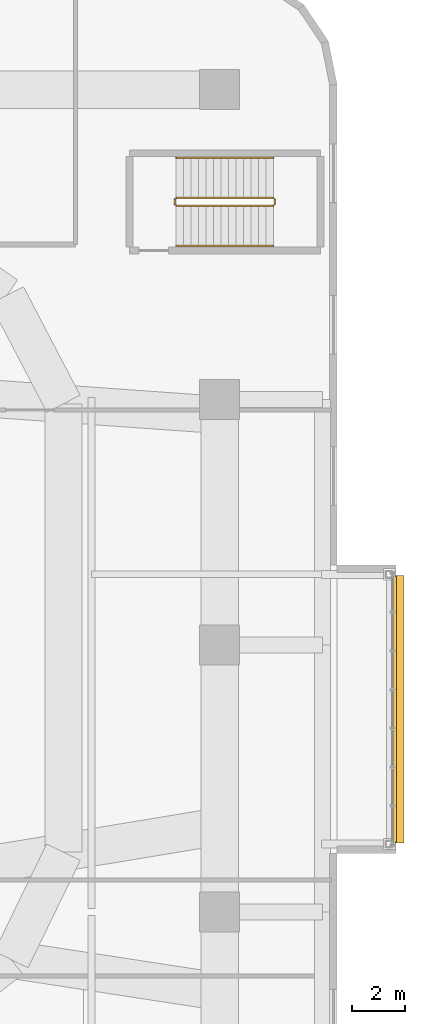
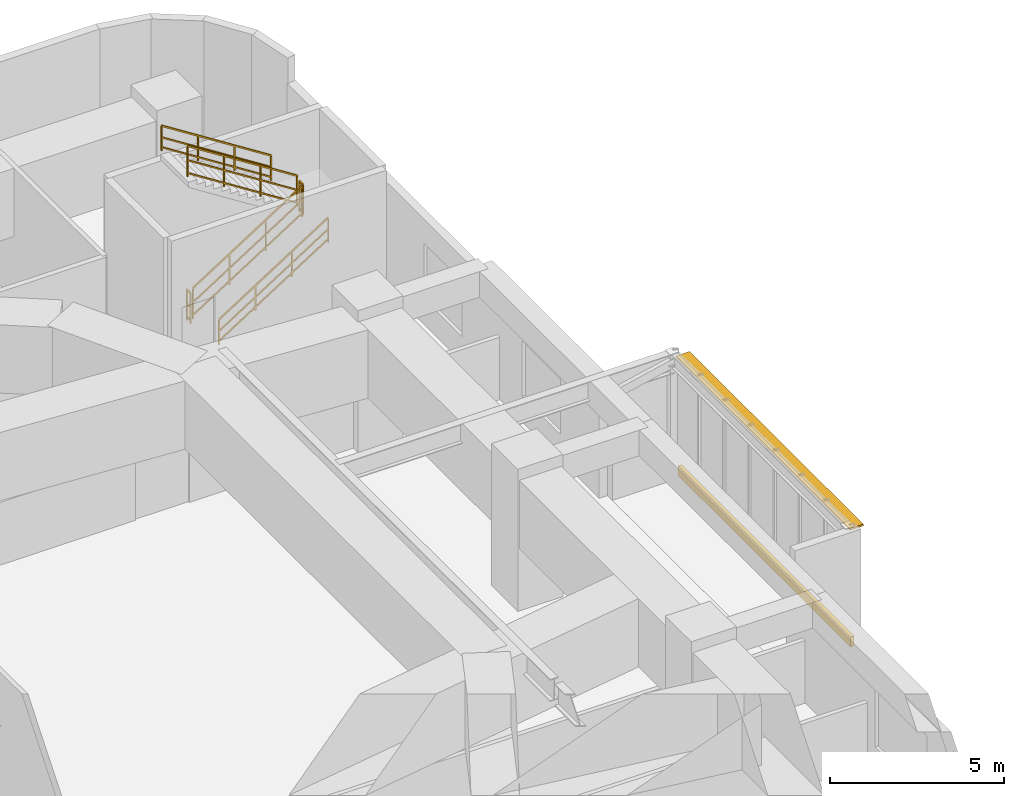
# One storey, part 25 of 26: 6 railings, 2 shading devices.
"""IFC4 building model written with IfcOpenShell, lengths in metres."""

from ifc_helpers import new_model, si_unit, direction, frame, origin, origin_2d, place, context, subcontext, project, spatial, rectangle, extrude, material, layer, layer_set, type_object, element, save


model = new_model("IFC4")

# Units and contexts
model_context = context("Model", 3, precision=1e-05, world=origin(), true_north=direction((0.0, 1.0)))
body_context = subcontext(model_context, "Body", "Model", "MODEL_VIEW")
ifc_project = project(units=[si_unit("LENGTHUNIT", "METRE"), si_unit("AREAUNIT", "SQUARE_METRE"), si_unit("VOLUMEUNIT", "CUBIC_METRE"), si_unit("PLANEANGLEUNIT", "RADIAN"), si_unit("MASSUNIT", "GRAM", prefix="KILO")], contexts=[model_context])

# Site, building, storey
site_placement = place(None, origin())
site = spatial("IfcSite", under=ifc_project, at=site_placement, CompositionType="ELEMENT")
building_placement = place(site_placement, origin())
building = spatial("IfcBuilding", under=site, at=building_placement, Name="Zulverin Broadcast Headquarters", CompositionType="ELEMENT")
storey_placement = place(building_placement, frame((0.0, 0.0, 20.0)))
storey = spatial("IfcBuildingStorey", under=building, at=storey_placement, Name="L04", CompositionType="ELEMENT", Elevation=20.0)

# Railings
ifc_material_1 = material(Name="Painted galvanized steel tubular guardrail S355JR", Category="steel")
railing_type_1 = type_object("IfcRailingType", Name="RL-ST-GUARD", PredefinedType="GUARDRAIL", material=ifc_material_1)
railing_1_placement = place(storey_placement, frame((67.969970703125, 41.64990234375, 0.178466796875)))
element("IfcRailing", 1, at=railing_1_placement, inside=storey, type_object=railing_type_1, Name="L04 ST-4 stair guard 1", PredefinedType="GUARDRAIL", context=body_context, shape_type="SweptSolid", body=[
    extrude(rectangle(XDim=0.048095703125, YDim=0.048095703125, at=origin_2d()), frame((0.0, 0.0, 1.076171875), z_axis=(0.843127859045, 0.0, 0.537713132908), x_axis=(0.0, 1.0, 0.0)), (0.0, 0.0, 1.0), 4.3173828125),
    extrude(rectangle(XDim=0.0419921875, YDim=0.0419921875, at=origin_2d()), frame((0.0, 0.0, 0.572021484375), z_axis=(0.843127859045, 0.0, 0.537713132908), x_axis=(0.0, 1.0, 0.0)), (0.0, 0.0, 1.0), 4.3173828125),
    extrude(rectangle(XDim=0.0419921875, YDim=0.0419921875, at=origin_2d()), frame((0.0, 0.0, 0.1201171875), z_axis=(0.843127859045, 0.0, 0.537713132908), x_axis=(0.0, 1.0, 0.0)), (0.0, 0.0, 1.0), 4.3173828125),
    extrude(rectangle(XDim=0.0419921875, YDim=0.0419921875, at=origin_2d()), origin(), (0.0, 0.0, 1.0), 1.052001953125),
    extrude(rectangle(XDim=0.0419921875, YDim=0.0419921875, at=origin_2d()), frame((1.21337890625, 0.0, 0.77392578125)), (0.0, 0.0, 1.0), 1.052001953125),
    extrude(rectangle(XDim=0.0419921875, YDim=0.0419921875, at=origin_2d()), frame((2.4267578125, 0.0, 1.547607421875)), (0.0, 0.0, 1.0), 1.052001953125),
    extrude(rectangle(XDim=0.0419921875, YDim=0.0419921875, at=origin_2d()), frame((3.64013671875, 0.0, 2.321533203125)), (0.0, 0.0, 1.0), 1.052001953125),
])
railing_2_placement = place(storey_placement, frame((71.659912109375, 41.699951171875, 2.5)))
element("IfcRailing", 2, at=railing_2_placement, inside=storey, type_object=railing_type_1, Name="L04 ST-4 stair guard 2", PredefinedType="GUARDRAIL", context=body_context, shape_type="SweptSolid", body=[
    extrude(rectangle(XDim=0.048095703125, YDim=0.048095703125, at=origin_2d()), frame((0.0, 0.0, 1.076171875), z_axis=(0.0, 1.0, 0.0), x_axis=(-1.0, 0.0, 0.0)), (0.0, 0.0, 1.0), 0.199951171875),
    extrude(rectangle(XDim=0.0419921875, YDim=0.0419921875, at=origin_2d()), frame((0.0, 0.0, 0.572021484375), z_axis=(0.0, 1.0, 0.0), x_axis=(-1.0, 0.0, 0.0)), (0.0, 0.0, 1.0), 0.199951171875),
    extrude(rectangle(XDim=0.0419921875, YDim=0.0419921875, at=origin_2d()), frame((0.0, 0.0, 0.1201171875), z_axis=(0.0, 1.0, 0.0), x_axis=(-1.0, 0.0, 0.0)), (0.0, 0.0, 1.0), 0.199951171875),
    extrude(rectangle(XDim=0.0419921875, YDim=0.0419921875, at=origin_2d()), origin(), (0.0, 0.0, 1.0), 1.052001953125),
    extrude(rectangle(XDim=0.0419921875, YDim=0.0419921875, at=origin_2d()), frame((0.0, 0.199951171875, 0.0)), (0.0, 0.0, 1.0), 1.052001953125),
])
railing_3_placement = place(storey_placement, frame((71.610107421875, 41.949951171875, 2.678466796875)))
element("IfcRailing", 3, at=railing_3_placement, inside=storey, type_object=railing_type_1, Name="L04 ST-4 stair guard 3", PredefinedType="GUARDRAIL", context=body_context, shape_type="SweptSolid", body=[
    extrude(rectangle(XDim=0.048095703125, YDim=0.048095703125, at=origin_2d()), frame((0.0, 0.0, 1.076171875), z_axis=(-0.843127859045, 0.0, 0.537713132908), x_axis=(0.0, -1.0, 0.0)), (0.0, 0.0, 1.0), 4.3173828125),
    extrude(rectangle(XDim=0.0419921875, YDim=0.0419921875, at=origin_2d()), frame((0.0, 0.0, 0.572021484375), z_axis=(-0.843127859045, 0.0, 0.537713132908), x_axis=(0.0, -1.0, 0.0)), (0.0, 0.0, 1.0), 4.3173828125),
    extrude(rectangle(XDim=0.0419921875, YDim=0.0419921875, at=origin_2d()), frame((0.0, 0.0, 0.1201171875), z_axis=(-0.843127859045, 0.0, 0.537713132908), x_axis=(0.0, -1.0, 0.0)), (0.0, 0.0, 1.0), 4.3173828125),
    extrude(rectangle(XDim=0.0419921875, YDim=0.0419921875, at=origin_2d()), origin(), (0.0, 0.0, 1.0), 1.052001953125),
    extrude(rectangle(XDim=0.0419921875, YDim=0.0419921875, at=origin_2d()), frame((-1.21337890625, 0.0, 0.77392578125)), (0.0, 0.0, 1.0), 1.052001953125),
    extrude(rectangle(XDim=0.0419921875, YDim=0.0419921875, at=origin_2d()), frame((-2.4267578125, 0.0, 1.547607421875)), (0.0, 0.0, 1.0), 1.052001953125),
    extrude(rectangle(XDim=0.0419921875, YDim=0.0419921875, at=origin_2d()), frame((-3.64013671875, 0.0, 2.321533203125)), (0.0, 0.0, 1.0), 1.052001953125),
])
railing_4_placement = place(storey_placement, frame((67.919921875, 41.699951171875, 0.0)))
element("IfcRailing", 4, at=railing_4_placement, inside=storey, type_object=railing_type_1, Name="L04 ST-4 stair guard 4", PredefinedType="GUARDRAIL", context=body_context, shape_type="SweptSolid", body=[
    extrude(rectangle(XDim=0.048095703125, YDim=0.048095703125, at=origin_2d()), frame((0.0, 0.0, 1.076171875), z_axis=(0.0, 1.0, 0.0), x_axis=(-1.0, 0.0, 0.0)), (0.0, 0.0, 1.0), 0.199951171875),
    extrude(rectangle(XDim=0.0419921875, YDim=0.0419921875, at=origin_2d()), frame((0.0, 0.0, 0.572021484375), z_axis=(0.0, 1.0, 0.0), x_axis=(-1.0, 0.0, 0.0)), (0.0, 0.0, 1.0), 0.199951171875),
    extrude(rectangle(XDim=0.0419921875, YDim=0.0419921875, at=origin_2d()), frame((0.0, 0.0, 0.1201171875), z_axis=(0.0, 1.0, 0.0), x_axis=(-1.0, 0.0, 0.0)), (0.0, 0.0, 1.0), 0.199951171875),
    extrude(rectangle(XDim=0.0419921875, YDim=0.0419921875, at=origin_2d()), origin(), (0.0, 0.0, 1.0), 1.052001953125),
    extrude(rectangle(XDim=0.0419921875, YDim=0.0419921875, at=origin_2d()), frame((0.0, 0.199951171875, 0.0)), (0.0, 0.0, 1.0), 1.052001953125),
])
ifc_material_2 = material(Name="Brushed stainless steel 48 mm handrail", Category="steel")
railing_type_2 = type_object("IfcRailingType", Name="RL-ST-HAND", PredefinedType="HANDRAIL", material=ifc_material_2)
railing_5_placement = place(storey_placement, frame((67.969970703125, 40.14990234375, 0.178466796875)))
element("IfcRailing", 5, at=railing_5_placement, inside=storey, type_object=railing_type_2, Name="L04 ST-4 stair handrail 1", PredefinedType="HANDRAIL", context=body_context, shape_type="SweptSolid", body=[
    extrude(rectangle(XDim=0.048095703125, YDim=0.048095703125, at=origin_2d()), frame((0.0, 0.0, 0.8759765625), z_axis=(0.843127859045, 0.0, 0.537713132908), x_axis=(0.0, 1.0, 0.0)), (0.0, 0.0, 1.0), 4.3173828125),
    extrude(rectangle(XDim=0.0419921875, YDim=0.0419921875, at=origin_2d()), frame((0.0, 0.0, 0.468017578125), z_axis=(0.843127859045, 0.0, 0.537713132908), x_axis=(0.0, 1.0, 0.0)), (0.0, 0.0, 1.0), 4.3173828125),
    extrude(rectangle(XDim=0.0419921875, YDim=0.0419921875, at=origin_2d()), frame((0.0, 0.0, 0.1201171875), z_axis=(0.843127859045, 0.0, 0.537713132908), x_axis=(0.0, 1.0, 0.0)), (0.0, 0.0, 1.0), 4.3173828125),
    extrude(rectangle(XDim=0.0419921875, YDim=0.0419921875, at=origin_2d()), origin(), (0.0, 0.0, 1.0), 0.851806640625),
    extrude(rectangle(XDim=0.0419921875, YDim=0.0419921875, at=origin_2d()), frame((1.21337890625, 0.0, 0.77392578125)), (0.0, 0.0, 1.0), 0.851806640625),
    extrude(rectangle(XDim=0.0419921875, YDim=0.0419921875, at=origin_2d()), frame((2.4267578125, 0.0, 1.547607421875)), (0.0, 0.0, 1.0), 0.851806640625),
    extrude(rectangle(XDim=0.0419921875, YDim=0.0419921875, at=origin_2d()), frame((3.64013671875, 0.0, 2.321533203125)), (0.0, 0.0, 1.0), 0.851806640625),
])
railing_6_placement = place(storey_placement, frame((71.610107421875, 43.449951171875, 2.678466796875)))
element("IfcRailing", 6, at=railing_6_placement, inside=storey, type_object=railing_type_2, Name="L04 ST-4 stair handrail 2", PredefinedType="HANDRAIL", context=body_context, shape_type="SweptSolid", body=[
    extrude(rectangle(XDim=0.048095703125, YDim=0.048095703125, at=origin_2d()), frame((0.0, 0.0, 0.8759765625), z_axis=(-0.843127859045, 0.0, 0.537713132908), x_axis=(0.0, -1.0, 0.0)), (0.0, 0.0, 1.0), 4.3173828125),
    extrude(rectangle(XDim=0.0419921875, YDim=0.0419921875, at=origin_2d()), frame((0.0, 0.0, 0.468017578125), z_axis=(-0.843127859045, 0.0, 0.537713132908), x_axis=(0.0, -1.0, 0.0)), (0.0, 0.0, 1.0), 4.3173828125),
    extrude(rectangle(XDim=0.0419921875, YDim=0.0419921875, at=origin_2d()), frame((0.0, 0.0, 0.1201171875), z_axis=(-0.843127859045, 0.0, 0.537713132908), x_axis=(0.0, -1.0, 0.0)), (0.0, 0.0, 1.0), 4.3173828125),
    extrude(rectangle(XDim=0.0419921875, YDim=0.0419921875, at=origin_2d()), origin(), (0.0, 0.0, 1.0), 0.851806640625),
    extrude(rectangle(XDim=0.0419921875, YDim=0.0419921875, at=origin_2d()), frame((-1.21337890625, 0.0, 0.77392578125)), (0.0, 0.0, 1.0), 0.851806640625),
    extrude(rectangle(XDim=0.0419921875, YDim=0.0419921875, at=origin_2d()), frame((-2.4267578125, 0.0, 1.547607421875)), (0.0, 0.0, 1.0), 0.851806640625),
    extrude(rectangle(XDim=0.0419921875, YDim=0.0419921875, at=origin_2d()), frame((-3.64013671875, 0.0, 2.321533203125)), (0.0, 0.0, 1.0), 0.851806640625),
])

# Shading devices
ifc_material_3 = material(Name="Anodized pale-metal aluminium acoustic louvre", Category="aluminium")
shading_device_type_1 = type_object("IfcShadingDeviceType", Name="SHD-LOUVRE-350", PredefinedType="USERDEFINED", material=ifc_material_3)
shading_device_1_placement = place(storey_placement, frame((76.159912109375, 22.800048828125, 0.224853515625), z_axis=(0.0, 0.0, 1.0), x_axis=(0.0, 1.0, 0.0)))
element("IfcShadingDevice", 7, at=shading_device_1_placement, inside=storey, type_object=shading_device_type_1, Name="L04 Pale-Metal Acoustic Louvre Screen CW-L04-SBOX_POD_UPPER_E1-F", ObjectType="LOUVRE", PredefinedType="USERDEFINED", context=body_context, shape_type="SweptSolid", body=[
    extrude(rectangle(XDim=9.93994140625, YDim=0.1201171875, at=origin_2d()), origin(), (0.0, 0.0, 1.0), 0.35009765625),
])
ifc_material_4 = material(Name="Anodized pale-metal aluminium sunshade", Category="aluminium")
ifc_layer = layer(ifc_material_4, 0.06005859375, Name="Anodized pale-metal aluminium sunshade", Category="aluminium")
ifc_layer_set = layer_set([ifc_layer], Name="Anodized pale-metal aluminium sunshade")
shading_device_type_2 = type_object("IfcShadingDeviceType", Name="SS-01_PALE_METAL_ALUMINIUM_SUNSHADE", PredefinedType="USERDEFINED", material=ifc_layer_set)
shading_device_2_placement = place(storey_placement, frame((76.280029296875, 22.800048828125, 4.369873046875), z_axis=(0.0, 0.0, 1.0), x_axis=(0.0, 1.0, 0.0)))
element("IfcShadingDevice", 8, at=shading_device_2_placement, inside=storey, type_object=shading_device_type_2, Name="L04 Pale-Metal Horizontal Sunshade Band CW-L04-SBOX_POD_UPPER_E1-F", ObjectType="SUNSHADE", PredefinedType="USERDEFINED", context=body_context, shape_type="SweptSolid", body=[
    extrude(rectangle(XDim=10.02001953125, YDim=0.449951171875, at=origin_2d()), origin(), (0.0, 0.0, 1.0), 0.06005859375),
])

save(model, "model.ifc")
